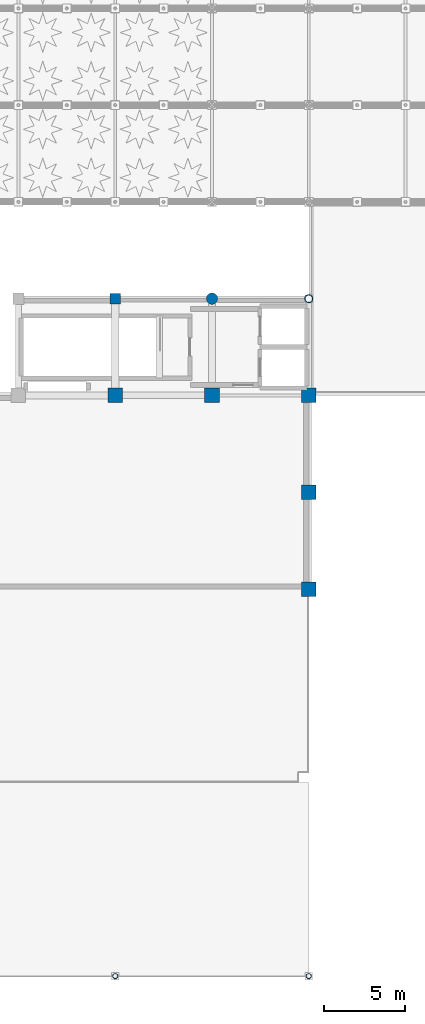
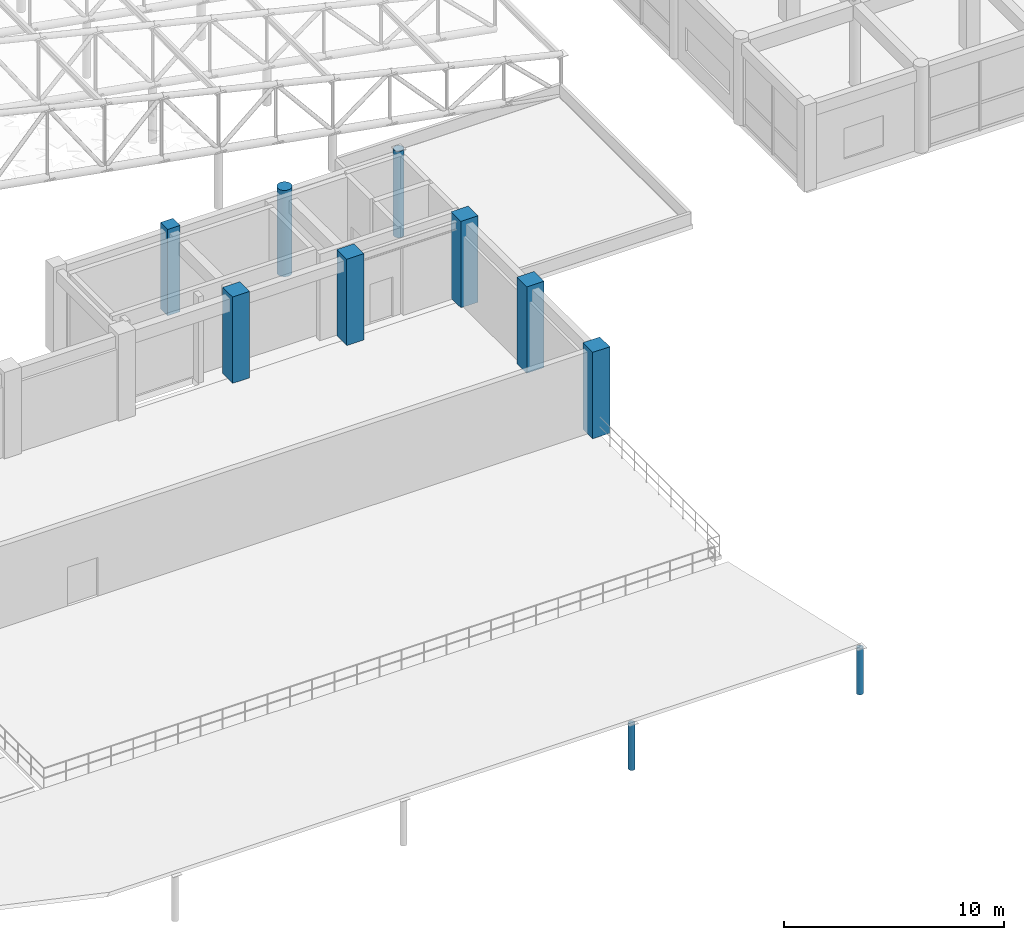
# One storey, part 12 of 112: 10 columns.
"""IFC4 building model written with IfcOpenShell, lengths in metres."""

from ifc_helpers import new_model, si_unit, direction, frame, origin, origin_2d, place, context, subcontext, project, spatial, rectangle, circle, hollow_circle, extrude, material, material_profile, profile_set, type_object, element, save


model = new_model("IFC4")

# Units and contexts
model_context = context("Model", 3, precision=1e-05, world=origin(), true_north=direction((0.0, 1.0)))
body_context = subcontext(model_context, "Body", "Model", "MODEL_VIEW")
ifc_project = project(units=[si_unit("LENGTHUNIT", "METRE"), si_unit("AREAUNIT", "SQUARE_METRE"), si_unit("VOLUMEUNIT", "CUBIC_METRE"), si_unit("PLANEANGLEUNIT", "RADIAN"), si_unit("MASSUNIT", "GRAM", prefix="KILO"), si_unit("THERMODYNAMICTEMPERATUREUNIT", "KELVIN"), si_unit("POWERUNIT", "WATT")], contexts=[model_context])

# Site, building, storey
site_placement = place(None, origin())
site = spatial("IfcSite", under=ifc_project, at=site_placement, CompositionType="ELEMENT")
building_placement = place(site_placement, origin())
building = spatial("IfcBuilding", under=site, at=building_placement, Name="Phaisarnlok Congress Hotel", CompositionType="ELEMENT")
storey_placement = place(building_placement, frame((0.0, 0.0, 19.800048828125)))
storey = spatial("IfcBuildingStorey", under=building, at=storey_placement, Name="L04", CompositionType="ELEMENT", Elevation=19.800048828125)

# Columns
ifc_material_1 = material(Name="Concrete C50/60", Category="concrete")
ifc_material_profile_1 = material_profile(ifc_material_1, rectangle(XDim=0.64990234375, YDim=0.64990234375, at=origin_2d()), Name="RC 650x650")
ifc_profile_set_1 = profile_set([ifc_material_profile_1], Name="Concrete C50/60")
column_type_1 = type_object("IfcColumnType", Name="COL-RC-650", PredefinedType="COLUMN", material=ifc_profile_set_1)
column_1_placement = place(storey_placement, frame((132.0, 42.0, 0.0), z_axis=(0.0, 0.0, 1.0), x_axis=(1.0, 0.0, 0.0)))
element("IfcColumn", 1, at=column_1_placement, inside=storey, type_object=column_type_1, Name="Column C-04 (L04)", PredefinedType="COLUMN", context=body_context, shape_type="SweptSolid", body=[
    extrude(rectangle(XDim=0.64990234375, YDim=0.64990234375, at=origin_2d()), origin(), (0.0, 0.0, 1.0), 4.800048828125),
])
ifc_material_profile_2 = material_profile(ifc_material_1, rectangle(XDim=0.89990234375, YDim=0.89990234375, at=origin_2d()), Name="RC 900x900")
ifc_profile_set_2 = profile_set([ifc_material_profile_2], Name="Concrete C50/60")
column_type_2 = type_object("IfcColumnType", Name="COL-RC-900", PredefinedType="COLUMN", material=ifc_profile_set_2)
for number, where, z_axis, x_axis, name in (
    (2, (132.0, 36.0, 0.0), (0.0, 0.0, 1.0), (1.0, 0.0, 0.0), "Column C-08 (L04)"),
    (3, (138.0, 36.0, 0.0), (0.0, 0.0, 1.0), (1.0, 0.0, 0.0), "Column C-08 (L04)"),
    (4, (144.0, 24.0, 0.0), (0.0, 0.0, 1.0), (1.0, 0.0, 0.0), "Column C-08 (L04)"),
    (5, (144.0, 30.0, 0.0), (0.0, 0.0, 1.0), (1.0, 0.0, 0.0), "Column C-08 (L04)"),
    (6, (144.0, 36.0, 0.0), (0.0, 0.0, 1.0), (1.0, 0.0, 0.0), "Column C-08 (L04)"),
):
    element("IfcColumn", number, at=place(storey_placement, frame(where, z_axis=z_axis, x_axis=x_axis)), inside=storey, type_object=column_type_2, Name=name, PredefinedType="COLUMN", context=body_context, shape_type="SweptSolid", body=[
        extrude(rectangle(XDim=0.89990234375, YDim=0.89990234375, at=origin_2d()), origin(), (0.0, 0.0, 1.0), 4.800048828125),
    ])
ifc_material_profile_3 = material_profile(ifc_material_1, circle(Radius=0.35009765625, at=origin_2d()), Name="RCC D700")
ifc_profile_set_3 = profile_set([ifc_material_profile_3], Name="Concrete C50/60")
column_type_3 = type_object("IfcColumnType", Name="COL-RCC-700", PredefinedType="COLUMN", material=ifc_profile_set_3)
column_2_placement = place(storey_placement, frame((138.0, 42.0, 0.0), z_axis=(0.0, 0.0, 1.0), x_axis=(1.0, 0.0, 0.0)))
element("IfcColumn", 7, at=column_2_placement, inside=storey, type_object=column_type_3, Name="Column C-13 (L04)", PredefinedType="COLUMN", context=body_context, shape_type="SweptSolid", body=[
    extrude(circle(Radius=0.35009765625, at=origin_2d()), origin(), (0.0, 0.0, 1.0), 4.800048828125),
])
ifc_material_2 = material(Name="Steel S355", Category="steel")
ifc_material_profile_4 = material_profile(ifc_material_2, hollow_circle(Radius=0.161865234375, WallThickness=0.01611328125, at=origin_2d()), Name="CHS 323.9x16")
ifc_profile_set_4 = profile_set([ifc_material_profile_4], Name="Steel S355")
column_type_4 = type_object("IfcColumnType", Name="COL-STL-CHS324-EXT", PredefinedType="COLUMN", material=ifc_profile_set_4)
for number, where, z_axis, x_axis, name in (
    (8, (132.0, 0.0, 0.0), (0.0, 0.0, 1.0), (1.0, 0.0, 0.0), "Ballroom proscenium roof post SC-01E"),
    (9, (144.0, 0.0, 0.0), (0.0, 0.0, 1.0), (1.0, 0.0, 0.0), "Ballroom proscenium roof post SC-01E"),
):
    element("IfcColumn", number, at=place(storey_placement, frame(where, z_axis=z_axis, x_axis=x_axis)), inside=storey, type_object=column_type_4, Name=name, PredefinedType="COLUMN", context=body_context, shape_type="SweptSolid", body=[
        extrude(hollow_circle(Radius=0.161865234375, WallThickness=0.01611328125, at=origin_2d()), origin(), (0.0, 0.0, 1.0), 2.56005859375),
    ])
ifc_material_profile_5 = material_profile(ifc_material_2, hollow_circle(Radius=0.25390625, WallThickness=0.02490234375, at=origin_2d()), Name="CHS 508x25")
ifc_profile_set_5 = profile_set([ifc_material_profile_5], Name="Steel S355")
column_type_5 = type_object("IfcColumnType", Name="COL-STL-CHS508", PredefinedType="COLUMN", material=ifc_profile_set_5)
column_3_placement = place(storey_placement, frame((144.0, 42.0, 0.0), z_axis=(0.0, 0.0, 1.0), x_axis=(1.0, 0.0, 0.0)))
element("IfcColumn", 10, at=column_3_placement, inside=storey, type_object=column_type_5, Name="Column SC-03 (L04)", PredefinedType="COLUMN", context=body_context, shape_type="SweptSolid", body=[
    extrude(hollow_circle(Radius=0.25390625, WallThickness=0.02490234375, at=origin_2d()), origin(), (0.0, 0.0, 1.0), 4.800048828125),
])

save(model, "model.ifc")
